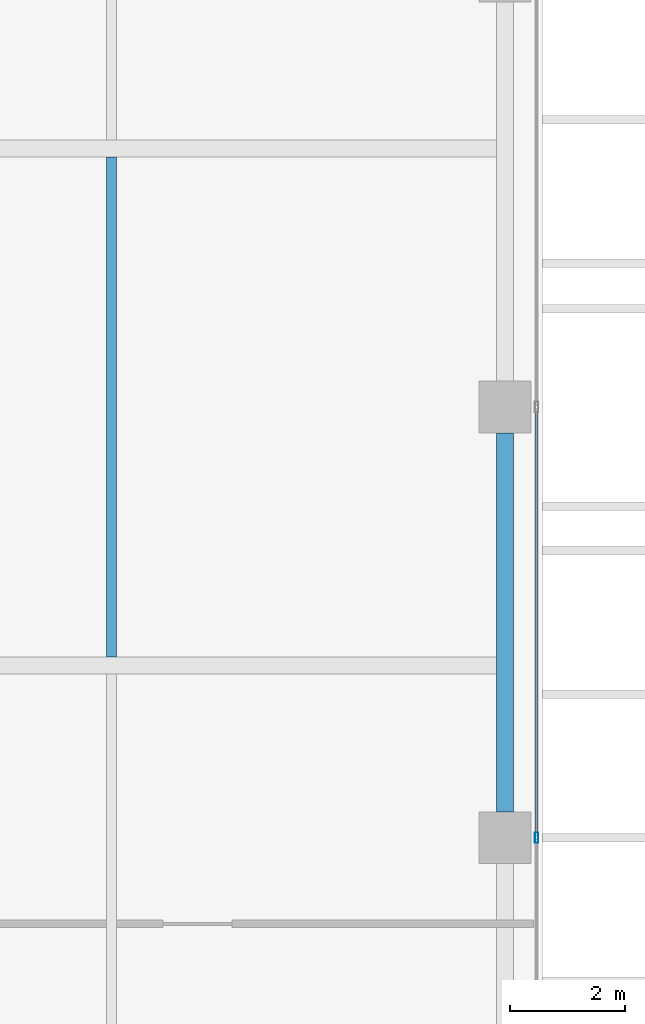
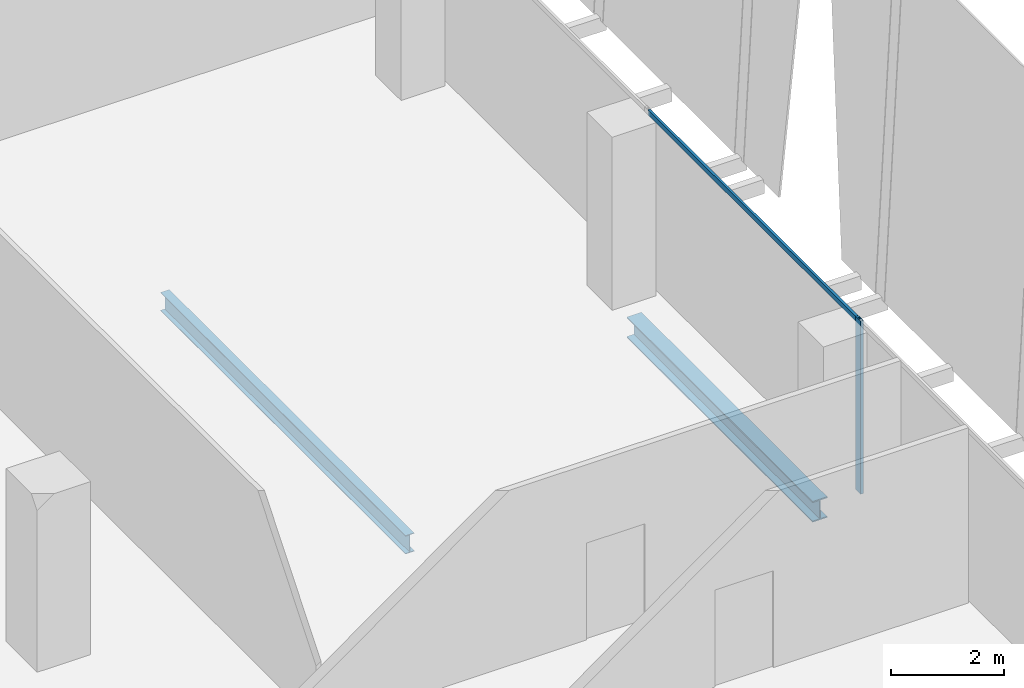
# One storey, part 11 of 35: 2 beams, 2 members, 1 element without a shape of its own.
"""IFC4 building model written with IfcOpenShell, lengths in metres."""

from ifc_helpers import new_model, si_unit, direction, frame, origin, origin_2d, place, context, subcontext, project, spatial, hollow_rectangle, i_section, extrude, source, transform, mapped, material, material_profile, profile_set, type_object, element, aggregate, save


model = new_model("IFC4")

# Units and contexts
model_context = context("Model", 3, precision=1e-05, world=origin(), true_north=direction((0.0, 1.0)))
body_context = subcontext(model_context, "Body", "Model", "MODEL_VIEW")
ifc_project = project(units=[si_unit("LENGTHUNIT", "METRE"), si_unit("AREAUNIT", "SQUARE_METRE"), si_unit("VOLUMEUNIT", "CUBIC_METRE"), si_unit("PLANEANGLEUNIT", "RADIAN"), si_unit("MASSUNIT", "GRAM", prefix="KILO")], contexts=[model_context])

# Site, building, storey
site_placement = place(None, origin())
site = spatial("IfcSite", under=ifc_project, at=site_placement, CompositionType="ELEMENT")
building_placement = place(site_placement, origin())
building = spatial("IfcBuilding", under=site, at=building_placement, Name="Khomas Fold Tower", CompositionType="ELEMENT")
storey_placement = place(building_placement, frame((0.0, 0.0, 266.199951171875)))
storey = spatial("IfcBuildingStorey", under=building, at=storey_placement, Name="L60", CompositionType="ELEMENT", Elevation=266.199951171875)

# Beams
ifc_material_1 = material(Name="Steel S355", Category="steel")
ifc_material_profile_1 = material_profile(ifc_material_1, i_section(OverallWidth=0.179931640625, OverallDepth=0.39990234375, WebThickness=0.008544921875, FlangeThickness=0.013427734375, at=origin_2d()), Name="IPE 400")
ifc_profile_set_1 = profile_set([ifc_material_profile_1], Name="Steel S355")
beam_type_1 = type_object("IfcBeamType", Name="IPE 400 beam JB3", PredefinedType="BEAM", material=ifc_profile_set_1)
shared_shape_1 = source(origin(), body_context, "Body", "SweptSolid", [
    extrude(i_section(OverallWidth=0.179931640625, OverallDepth=0.39990234375, WebThickness=0.008544921875, FlangeThickness=0.013427734375, at=origin_2d()), origin(), (0.0, 0.0, 1.0), 8.7001953125),
])
beam_1_placement = place(storey_placement, frame((42.0, 22.64990234375, -0.449951171875), z_axis=(0.0, 1.0, 0.0), x_axis=(-1.0, 0.0, 0.0)))
element("IfcBeam", 1, at=beam_1_placement, inside=storey, type_object=beam_type_1, Name="JB3", PredefinedType="BEAM", context=body_context, shape_type="MappedRepresentation", body=[
    mapped(shared_shape_1, transform((0.0, 0.0, 0.0))),
])
ifc_material_2 = material(Name="Steel S355", Category="steel")
ifc_material_profile_2 = material_profile(ifc_material_2, i_section(OverallWidth=0.300048828125, OverallDepth=0.449951171875, WebThickness=0.013916015625, FlangeThickness=0.02587890625, at=origin_2d()), Name="HE 450 B")
ifc_profile_set_2 = profile_set([ifc_material_profile_2], Name="Steel S355")
beam_type_2 = type_object("IfcBeamType", Name="HE 450 B spandrel SB4", PredefinedType="SPANDREL", material=ifc_profile_set_2)
shared_shape_2 = source(origin(), body_context, "Body", "SweptSolid", [
    extrude(i_section(OverallWidth=0.300048828125, OverallDepth=0.449951171875, WebThickness=0.013916015625, FlangeThickness=0.02587890625, at=origin_2d()), origin(), (0.0, 0.0, 1.0), 6.60009765625),
])
beam_2_placement = place(storey_placement, frame((48.85009765625, 19.949951171875, -0.474853515625), z_axis=(0.0, 1.0, 0.0), x_axis=(-1.0, 0.0, 0.0)))
element("IfcBeam", 2, at=beam_2_placement, inside=storey, type_object=beam_type_2, Name="SB4", PredefinedType="SPANDREL", context=body_context, shape_type="MappedRepresentation", body=[
    mapped(shared_shape_2, transform((0.0, 0.0, 0.0))),
])

# Curtain wall, members
ifc_material_3 = material(Name="Aluminium framed double glazing", Category="aluminium")
curtain_wall_type = type_object("IfcCurtainWallType", Name="SK-Unitised clear-glass wall, office floors CW2", PredefinedType="NOTDEFINED", material=ifc_material_3)
curtain_wall_placement = place(storey_placement, origin())
curtain_wall = element("IfcCurtainWall", 3, at=curtain_wall_placement, inside=storey, type_object=curtain_wall_type, Name="CW2 run L60 03-0", PredefinedType="NOTDEFINED")
ifc_material_4 = material(Name="Aluminium", Category="aluminium")
ifc_material_profile_3 = material_profile(ifc_material_4, hollow_rectangle(XDim=0.06005859375, YDim=0.179931640625, WallThickness=0.00390625, at=origin_2d()), Name="SK-Unitised clear-glass wall, office floors mullion CW2-M")
ifc_profile_set_3 = profile_set([ifc_material_profile_3], Name="Aluminium")
member_type_1 = type_object("IfcMemberType", Name="SK-Unitised clear-glass wall, office floors mullion CW2-M", PredefinedType="MULLION", material=ifc_profile_set_3)
shared_shape_3 = source(origin(), body_context, "Body", "SweptSolid", [
    extrude(hollow_rectangle(XDim=0.06005859375, YDim=0.179931640625, WallThickness=0.00390625, at=origin_2d()), origin(), (0.0, 0.0, 1.0), 3.75),
])
member_1_placement = place(storey_placement, frame((49.39990234375, 19.5, 0.0), z_axis=(0.0, 0.0, 1.0), x_axis=(-1.0, 0.0, 0.0)))
member_1 = element("IfcMember", 4, at=member_1_placement, type_object=member_type_1, Name="CW2 mullion 3", PredefinedType="MULLION", context=body_context, shape_type="MappedRepresentation", body=[
    mapped(shared_shape_3, transform((0.0, 0.0, 0.0))),
])
ifc_material_5 = material(Name="Aluminium", Category="aluminium")
ifc_material_profile_4 = material_profile(ifc_material_5, hollow_rectangle(XDim=0.050048828125, YDim=0.110107421875, WallThickness=0.00390625, at=origin_2d()), Name="SK-Unitised clear-glass wall, office floors transom CW2-T")
ifc_profile_set_4 = profile_set([ifc_material_profile_4], Name="Aluminium")
member_type_2 = type_object("IfcMemberType", Name="SK-Unitised clear-glass wall, office floors transom CW2-T", PredefinedType="USERDEFINED", material=ifc_profile_set_4)
shared_shape_4 = source(origin(), body_context, "Body", "SweptSolid", [
    extrude(hollow_rectangle(XDim=0.050048828125, YDim=0.110107421875, WallThickness=0.00390625, at=origin_2d()), origin(), (0.0, 0.0, 1.0), 7.43994140625),
])
member_2_placement = place(storey_placement, frame((49.39990234375, 19.530029296875, 3.695068359375), z_axis=(0.0, 1.0, 0.0), x_axis=(-1.0, 0.0, 0.0)))
member_2 = element("IfcMember", 5, at=member_2_placement, type_object=member_type_2, Name="CW2 transom 3", ObjectType="TRANSOM", PredefinedType="USERDEFINED", context=body_context, shape_type="MappedRepresentation", body=[
    mapped(shared_shape_4, transform((0.0, 0.0, 0.0))),
])
aggregate(curtain_wall, [member_1, member_2])

save(model, "model.ifc")
